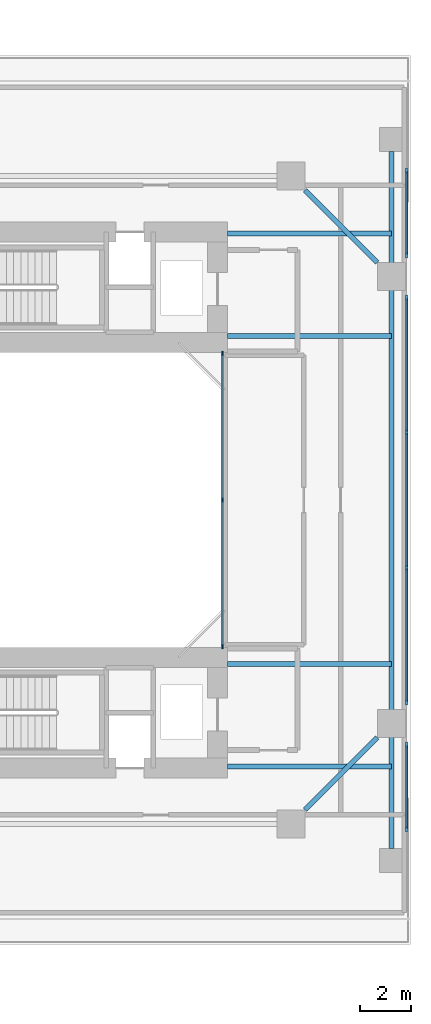
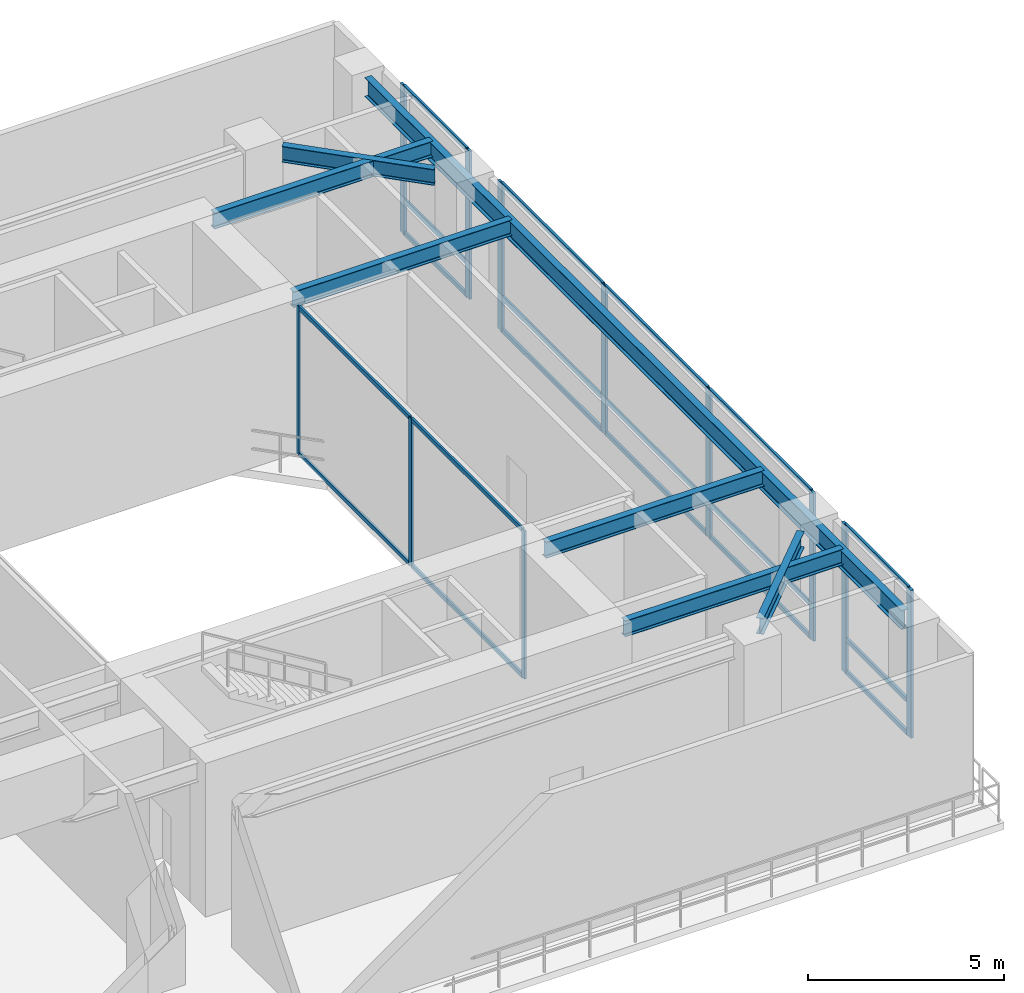
# One storey, part 9 of 19: 30 members, 7 beams, 4 elements without a shape of their own.
"""IFC4 building model written with IfcOpenShell, lengths in metres."""

from ifc_helpers import new_model, si_unit, direction, frame, origin, origin_2d, place, context, subcontext, project, spatial, rectangle, i_section, extrude, source, transform, mapped, material, layer, layer_set, material_profile, profile_set, type_object, element, aggregate, save


model = new_model("IFC4")

# Units and contexts
model_context = context("Model", 3, precision=1e-05, world=origin(), true_north=direction((0.0, 1.0)))
body_context = subcontext(model_context, "Body", "Model", "MODEL_VIEW")
ifc_project = project(units=[si_unit("LENGTHUNIT", "METRE"), si_unit("AREAUNIT", "SQUARE_METRE"), si_unit("VOLUMEUNIT", "CUBIC_METRE"), si_unit("PLANEANGLEUNIT", "RADIAN"), si_unit("MASSUNIT", "GRAM", prefix="KILO"), si_unit("THERMODYNAMICTEMPERATUREUNIT", "KELVIN"), si_unit("POWERUNIT", "WATT")], contexts=[model_context])

# Site, building, storey
site_placement = place(None, origin())
site = spatial("IfcSite", under=ifc_project, at=site_placement, CompositionType="ELEMENT")
building_placement = place(site_placement, origin())
building = spatial("IfcBuilding", under=site, at=building_placement, Name="Qiaomeng Ring Towers", CompositionType="ELEMENT")
storey_placement = place(building_placement, frame((0.0, 0.0, 18.199951171875)))
storey = spatial("IfcBuildingStorey", under=building, at=storey_placement, Name="L04", CompositionType="ELEMENT", Elevation=18.199951171875)

# Beams
ifc_material_1 = material(Name="Steel Q355B", Category="steel")
ifc_material_profile_1 = material_profile(ifc_material_1, i_section(OverallWidth=0.199951171875, OverallDepth=0.60009765625, WebThickness=0.010986328125, FlangeThickness=0.01708984375, FilletRadius=0.02197265625, at=origin_2d()), Name="HN 600x200x11x17")
ifc_profile_set_1 = profile_set([ifc_material_profile_1], Name="Steel Q355B")
beam_type_1 = type_object("IfcBeamType", Name="STR-BM-HN600", PredefinedType="BEAM", material=ifc_profile_set_1)
shared_shape_1 = source(origin(), body_context, "Body", "SweptSolid", [
    extrude(i_section(OverallWidth=0.199951171875, OverallDepth=0.60009765625, WebThickness=0.010986328125, FlangeThickness=0.01708984375, FilletRadius=0.02197265625, at=origin_2d()), origin(), (0.0, 0.0, 1.0), 27.4521484375),
])
beam_placement = place(storey_placement, frame((73.25, 9.27392578125, 4.320068359375), z_axis=(0.0, 1.0, 0.0), x_axis=(-1.0, 0.0, 0.0)))
element("IfcBeam", 1, at=beam_placement, inside=storey, type_object=beam_type_1, Name="L04 beam STR-SP-L04-EL", PredefinedType="BEAM", context=body_context, shape_type="MappedRepresentation", body=[
    mapped(shared_shape_1, transform((0.0, 0.0, 0.0), x_axis=(1.0, 0.0, 0.0), y_axis=(0.0, 1.0, 0.0), z_axis=(0.0, 0.0, 1.0), scale=1.0)),
])
ifc_material_profile_2 = material_profile(ifc_material_1, i_section(OverallWidth=0.199951171875, OverallDepth=0.5, WebThickness=0.010009765625, FlangeThickness=0.01611328125, FilletRadius=0.02001953125, at=origin_2d()), Name="HN 500x200x10x16")
ifc_profile_set_2 = profile_set([ifc_material_profile_2], Name="Steel Q355B")
beam_type_2 = type_object("IfcBeamType", Name="STR-BM-HN500", PredefinedType="BEAM", material=ifc_profile_set_2)
shared_shape_2 = source(origin(), body_context, "Body", "SweptSolid", [
    extrude(i_section(OverallWidth=0.199951171875, OverallDepth=0.5, WebThickness=0.010009765625, FlangeThickness=0.01611328125, FilletRadius=0.02001953125, at=origin_2d()), origin(), (0.0, 0.0, 1.0), 4.032470703125),
])
for number, where, z_axis, x_axis, name in (
    (2, (69.849365234375, 10.79931640625, 4.3701171875), (0.707106781187, 0.707106781187, 0.0), (-0.707106781187, 0.707106781187, 0.0), "L04 beam STR-SP-L04-T2-2"),
    (3, (72.70068359375, 32.349365234375, 4.3701171875), (-0.707106781187, 0.707106781187, 0.0), (-0.707106781187, -0.707106781187, 0.0), "L04 beam STR-SP-L04-T2-4"),
):
    element("IfcBeam", number, at=place(storey_placement, frame(where, z_axis=z_axis, x_axis=x_axis)), inside=storey, type_object=beam_type_2, Name=name, PredefinedType="BEAM", context=body_context, shape_type="MappedRepresentation", body=[
        mapped(shared_shape_2, transform((0.0, 0.0, 0.0), x_axis=(1.0, 0.0, 0.0), y_axis=(0.0, 1.0, 0.0), z_axis=(0.0, 0.0, 1.0), scale=1.0)),
    ])
shared_shape_3 = source(origin(), body_context, "Body", "SweptSolid", [
    extrude(i_section(OverallWidth=0.199951171875, OverallDepth=0.5, WebThickness=0.010009765625, FlangeThickness=0.01611328125, FilletRadius=0.02001953125, at=origin_2d()), origin(), (0.0, 0.0, 1.0), 6.449951171875),
])
for number, where, z_axis, x_axis, name in (
    (4, (66.800048828125, 12.5, 4.3701171875), (1.0, 0.0, 0.0), (0.0, 1.0, 0.0), "L04 beam STR-BM-L04-E-0"),
    (5, (66.800048828125, 16.550048828125, 4.3701171875), (1.0, 0.0, 0.0), (0.0, 1.0, 0.0), "L04 beam STR-BM-L04-E-1"),
    (6, (66.800048828125, 29.449951171875, 4.3701171875), (1.0, 0.0, 0.0), (0.0, 1.0, 0.0), "L04 beam STR-BM-L04-E-2"),
    (7, (66.800048828125, 33.5, 4.3701171875), (1.0, 0.0, 0.0), (0.0, 1.0, 0.0), "L04 beam STR-BM-L04-E-3"),
):
    element("IfcBeam", number, at=place(storey_placement, frame(where, z_axis=z_axis, x_axis=x_axis)), inside=storey, type_object=beam_type_2, Name=name, PredefinedType="BEAM", context=body_context, shape_type="MappedRepresentation", body=[
        mapped(shared_shape_3, transform((0.0, 0.0, 0.0), x_axis=(1.0, 0.0, 0.0), y_axis=(0.0, 1.0, 0.0), z_axis=(0.0, 0.0, 1.0), scale=1.0)),
    ])

# Curtain wall, members
ifc_material_2 = material(Name="Fluorocarbon dark-grey aluminium", Category="aluminium")
ifc_layer_1 = layer(ifc_material_2, 0.179931640625, Name="Fluorocarbon dark-grey aluminium")
ifc_layer_set_1 = layer_set([ifc_layer_1], Name="Fluorocarbon dark-grey aluminium")
curtain_wall_type_1 = type_object("IfcCurtainWallType", Name="ARC-CW-1", PredefinedType="NOTDEFINED", material=ifc_layer_set_1)
curtain_wall_1_placement = place(storey_placement, origin())
curtain_wall_1 = element("IfcCurtainWall", 8, at=curtain_wall_1_placement, inside=storey, type_object=curtain_wall_type_1, Name="L04 Curtain Wall CW1", PredefinedType="NOTDEFINED")
ifc_material_profile_3 = material_profile(ifc_material_2, rectangle(XDim=0.070068359375, YDim=0.139892578125, at=origin_2d()), Name="ALU TRAN 70x140")
ifc_profile_set_3 = profile_set([ifc_material_profile_3], Name="Fluorocarbon dark-grey aluminium")
member_type_1 = type_object("IfcMemberType", Name="ARC-CWT-140", PredefinedType="USERDEFINED", material=ifc_profile_set_3)
shared_shape_4 = source(origin(), body_context, "Body", "SweptSolid", [
    extrude(rectangle(XDim=0.070068359375, YDim=0.139892578125, at=origin_2d()), origin(), (0.0, 0.0, 1.0), 5.219970703125),
])
member_1_placement = place(storey_placement, frame((73.85009765625, 15.070068359375, 0.03515625), z_axis=(0.0, 1.0, 0.0), x_axis=(-1.0, 0.0, 0.0)))
member_1 = element("IfcMember", 9, at=member_1_placement, type_object=member_type_1, Name="CW1 transom 1.1", ObjectType="TRANSOM", PredefinedType="USERDEFINED", context=body_context, shape_type="MappedRepresentation", body=[
    mapped(shared_shape_4, transform((0.0, 0.0, 0.0), x_axis=(1.0, 0.0, 0.0), y_axis=(0.0, 1.0, 0.0), z_axis=(0.0, 0.0, 1.0), scale=1.0)),
])
member_2_placement = place(storey_placement, frame((73.85009765625, 15.070068359375, 1.050048828125), z_axis=(0.0, 1.0, 0.0), x_axis=(-1.0, 0.0, 0.0)))
member_2 = element("IfcMember", 10, at=member_2_placement, type_object=member_type_1, Name="CW1 transom 1.2", ObjectType="TRANSOM", PredefinedType="USERDEFINED", context=body_context, shape_type="MappedRepresentation", body=[
    mapped(shared_shape_4, transform((0.0, 0.0, 0.0), x_axis=(1.0, 0.0, 0.0), y_axis=(0.0, 1.0, 0.0), z_axis=(0.0, 0.0, 1.0), scale=1.0)),
])
member_3_placement = place(storey_placement, frame((73.85009765625, 15.070068359375, 4.5849609375), z_axis=(0.0, 1.0, 0.0), x_axis=(-1.0, 0.0, 0.0)))
member_3 = element("IfcMember", 11, at=member_3_placement, type_object=member_type_1, Name="CW1 transom 1.3", ObjectType="TRANSOM", PredefinedType="USERDEFINED", context=body_context, shape_type="MappedRepresentation", body=[
    mapped(shared_shape_4, transform((0.0, 0.0, 0.0), x_axis=(1.0, 0.0, 0.0), y_axis=(0.0, 1.0, 0.0), z_axis=(0.0, 0.0, 1.0), scale=1.0)),
])
member_4_placement = place(storey_placement, frame((73.85009765625, 25.7099609375, 0.03515625), z_axis=(0.0, 1.0, 0.0), x_axis=(-1.0, 0.0, 0.0)))
member_4 = element("IfcMember", 12, at=member_4_placement, type_object=member_type_1, Name="CW1 transom 3.1", ObjectType="TRANSOM", PredefinedType="USERDEFINED", context=body_context, shape_type="MappedRepresentation", body=[
    mapped(shared_shape_4, transform((0.0, 0.0, 0.0), x_axis=(1.0, 0.0, 0.0), y_axis=(0.0, 1.0, 0.0), z_axis=(0.0, 0.0, 1.0), scale=1.0)),
])
member_5_placement = place(storey_placement, frame((73.85009765625, 25.7099609375, 1.050048828125), z_axis=(0.0, 1.0, 0.0), x_axis=(-1.0, 0.0, 0.0)))
member_5 = element("IfcMember", 13, at=member_5_placement, type_object=member_type_1, Name="CW1 transom 3.2", ObjectType="TRANSOM", PredefinedType="USERDEFINED", context=body_context, shape_type="MappedRepresentation", body=[
    mapped(shared_shape_4, transform((0.0, 0.0, 0.0), x_axis=(1.0, 0.0, 0.0), y_axis=(0.0, 1.0, 0.0), z_axis=(0.0, 0.0, 1.0), scale=1.0)),
])
member_6_placement = place(storey_placement, frame((73.85009765625, 25.7099609375, 4.5849609375), z_axis=(0.0, 1.0, 0.0), x_axis=(-1.0, 0.0, 0.0)))
member_6 = element("IfcMember", 14, at=member_6_placement, type_object=member_type_1, Name="CW1 transom 3.3", ObjectType="TRANSOM", PredefinedType="USERDEFINED", context=body_context, shape_type="MappedRepresentation", body=[
    mapped(shared_shape_4, transform((0.0, 0.0, 0.0), x_axis=(1.0, 0.0, 0.0), y_axis=(0.0, 1.0, 0.0), z_axis=(0.0, 0.0, 1.0), scale=1.0)),
])
shared_shape_5 = source(origin(), body_context, "Body", "SweptSolid", [
    extrude(rectangle(XDim=0.070068359375, YDim=0.139892578125, at=origin_2d()), origin(), (0.0, 0.0, 1.0), 5.259765625),
])
member_7_placement = place(storey_placement, frame((73.85009765625, 20.3701171875, 0.03515625), z_axis=(0.0, 1.0, 0.0), x_axis=(-1.0, 0.0, 0.0)))
member_7 = element("IfcMember", 15, at=member_7_placement, type_object=member_type_1, Name="CW1 transom 2.1", ObjectType="TRANSOM", PredefinedType="USERDEFINED", context=body_context, shape_type="MappedRepresentation", body=[
    mapped(shared_shape_5, transform((0.0, 0.0, 0.0), x_axis=(1.0, 0.0, 0.0), y_axis=(0.0, 1.0, 0.0), z_axis=(0.0, 0.0, 1.0), scale=1.0)),
])
member_8_placement = place(storey_placement, frame((73.85009765625, 20.3701171875, 1.050048828125), z_axis=(0.0, 1.0, 0.0), x_axis=(-1.0, 0.0, 0.0)))
member_8 = element("IfcMember", 16, at=member_8_placement, type_object=member_type_1, Name="CW1 transom 2.2", ObjectType="TRANSOM", PredefinedType="USERDEFINED", context=body_context, shape_type="MappedRepresentation", body=[
    mapped(shared_shape_5, transform((0.0, 0.0, 0.0), x_axis=(1.0, 0.0, 0.0), y_axis=(0.0, 1.0, 0.0), z_axis=(0.0, 0.0, 1.0), scale=1.0)),
])
member_9_placement = place(storey_placement, frame((73.85009765625, 20.3701171875, 4.5849609375), z_axis=(0.0, 1.0, 0.0), x_axis=(-1.0, 0.0, 0.0)))
member_9 = element("IfcMember", 17, at=member_9_placement, type_object=member_type_1, Name="CW1 transom 2.3", ObjectType="TRANSOM", PredefinedType="USERDEFINED", context=body_context, shape_type="MappedRepresentation", body=[
    mapped(shared_shape_5, transform((0.0, 0.0, 0.0), x_axis=(1.0, 0.0, 0.0), y_axis=(0.0, 1.0, 0.0), z_axis=(0.0, 0.0, 1.0), scale=1.0)),
])

curtain_wall_2_placement = place(storey_placement, origin())
curtain_wall_2 = element("IfcCurtainWall", 18, at=curtain_wall_2_placement, inside=storey, type_object=curtain_wall_type_1, Name="L04 Curtain Wall CW1", PredefinedType="NOTDEFINED")
shared_shape_6 = source(origin(), body_context, "Body", "SweptSolid", [
    extrude(rectangle(XDim=0.070068359375, YDim=0.139892578125, at=origin_2d()), origin(), (0.0, 0.0, 1.0), 3.25),
])
member_10_placement = place(storey_placement, frame((73.85009765625, 10.080078125, 0.03515625), z_axis=(0.0, 1.0, 0.0), x_axis=(-1.0, 0.0, 0.0)))
member_10 = element("IfcMember", 19, at=member_10_placement, type_object=member_type_1, Name="CW1 transom 1.1", ObjectType="TRANSOM", PredefinedType="USERDEFINED", context=body_context, shape_type="MappedRepresentation", body=[
    mapped(shared_shape_6, transform((0.0, 0.0, 0.0), x_axis=(1.0, 0.0, 0.0), y_axis=(0.0, 1.0, 0.0), z_axis=(0.0, 0.0, 1.0), scale=1.0)),
])
member_11_placement = place(storey_placement, frame((73.85009765625, 10.080078125, 1.050048828125), z_axis=(0.0, 1.0, 0.0), x_axis=(-1.0, 0.0, 0.0)))
member_11 = element("IfcMember", 20, at=member_11_placement, type_object=member_type_1, Name="CW1 transom 1.2", ObjectType="TRANSOM", PredefinedType="USERDEFINED", context=body_context, shape_type="MappedRepresentation", body=[
    mapped(shared_shape_6, transform((0.0, 0.0, 0.0), x_axis=(1.0, 0.0, 0.0), y_axis=(0.0, 1.0, 0.0), z_axis=(0.0, 0.0, 1.0), scale=1.0)),
])
member_12_placement = place(storey_placement, frame((73.85009765625, 10.080078125, 4.5849609375), z_axis=(0.0, 1.0, 0.0), x_axis=(-1.0, 0.0, 0.0)))
member_12 = element("IfcMember", 21, at=member_12_placement, type_object=member_type_1, Name="CW1 transom 1.3", ObjectType="TRANSOM", PredefinedType="USERDEFINED", context=body_context, shape_type="MappedRepresentation", body=[
    mapped(shared_shape_6, transform((0.0, 0.0, 0.0), x_axis=(1.0, 0.0, 0.0), y_axis=(0.0, 1.0, 0.0), z_axis=(0.0, 0.0, 1.0), scale=1.0)),
])

curtain_wall_3_placement = place(storey_placement, origin())
curtain_wall_3 = element("IfcCurtainWall", 22, at=curtain_wall_3_placement, inside=storey, type_object=curtain_wall_type_1, Name="L04 Curtain Wall CW1", PredefinedType="NOTDEFINED")
member_13_placement = place(storey_placement, frame((73.85009765625, 32.669921875, 0.03515625), z_axis=(0.0, 1.0, 0.0), x_axis=(-1.0, 0.0, 0.0)))
member_13 = element("IfcMember", 23, at=member_13_placement, type_object=member_type_1, Name="CW1 transom 1.1", ObjectType="TRANSOM", PredefinedType="USERDEFINED", context=body_context, shape_type="MappedRepresentation", body=[
    mapped(shared_shape_6, transform((0.0, 0.0, 0.0), x_axis=(1.0, 0.0, 0.0), y_axis=(0.0, 1.0, 0.0), z_axis=(0.0, 0.0, 1.0), scale=1.0)),
])
member_14_placement = place(storey_placement, frame((73.85009765625, 32.669921875, 1.050048828125), z_axis=(0.0, 1.0, 0.0), x_axis=(-1.0, 0.0, 0.0)))
member_14 = element("IfcMember", 24, at=member_14_placement, type_object=member_type_1, Name="CW1 transom 1.2", ObjectType="TRANSOM", PredefinedType="USERDEFINED", context=body_context, shape_type="MappedRepresentation", body=[
    mapped(shared_shape_6, transform((0.0, 0.0, 0.0), x_axis=(1.0, 0.0, 0.0), y_axis=(0.0, 1.0, 0.0), z_axis=(0.0, 0.0, 1.0), scale=1.0)),
])
member_15_placement = place(storey_placement, frame((73.85009765625, 32.669921875, 4.5849609375), z_axis=(0.0, 1.0, 0.0), x_axis=(-1.0, 0.0, 0.0)))
member_15 = element("IfcMember", 25, at=member_15_placement, type_object=member_type_1, Name="CW1 transom 1.3", ObjectType="TRANSOM", PredefinedType="USERDEFINED", context=body_context, shape_type="MappedRepresentation", body=[
    mapped(shared_shape_6, transform((0.0, 0.0, 0.0), x_axis=(1.0, 0.0, 0.0), y_axis=(0.0, 1.0, 0.0), z_axis=(0.0, 0.0, 1.0), scale=1.0)),
])

ifc_layer_2 = layer(ifc_material_2, 0.139892578125, Name="Fluorocarbon dark-grey aluminium")
ifc_layer_set_2 = layer_set([ifc_layer_2], Name="Fluorocarbon dark-grey aluminium")
curtain_wall_type_2 = type_object("IfcCurtainWallType", Name="ARC-CW-4", PredefinedType="NOTDEFINED", material=ifc_layer_set_2)
curtain_wall_4_placement = place(storey_placement, origin())
curtain_wall_4 = element("IfcCurtainWall", 26, at=curtain_wall_4_placement, inside=storey, type_object=curtain_wall_type_2, Name="L04 Curtain Wall CW4", PredefinedType="NOTDEFINED")
ifc_material_profile_4 = material_profile(ifc_material_2, rectangle(XDim=0.06494140625, YDim=0.1298828125, at=origin_2d()), Name="ALU TRAN 65x130")
ifc_profile_set_4 = profile_set([ifc_material_profile_4], Name="Fluorocarbon dark-grey aluminium")
member_type_2 = type_object("IfcMemberType", Name="ARC-CWT-120", PredefinedType="USERDEFINED", material=ifc_profile_set_4)
shared_shape_7 = source(origin(), body_context, "Body", "SweptSolid", [
    extrude(rectangle(XDim=0.06494140625, YDim=0.1298828125, at=origin_2d()), origin(), (0.0, 0.0, 1.0), 5.70263671875),
])
member_16_placement = place(storey_placement, frame((66.60009765625, 17.264892578125, 0.032470703125), z_axis=(0.0, 1.0, 0.0), x_axis=(-1.0, 0.0, 0.0)))
member_16 = element("IfcMember", 27, at=member_16_placement, type_object=member_type_2, Name="CW4 transom 1.1", ObjectType="TRANSOM", PredefinedType="USERDEFINED", context=body_context, shape_type="MappedRepresentation", body=[
    mapped(shared_shape_7, transform((0.0, 0.0, 0.0), x_axis=(1.0, 0.0, 0.0), y_axis=(0.0, 1.0, 0.0), z_axis=(0.0, 0.0, 1.0), scale=1.0)),
])
member_17_placement = place(storey_placement, frame((66.60009765625, 17.264892578125, 4.587646484375), z_axis=(0.0, 1.0, 0.0), x_axis=(-1.0, 0.0, 0.0)))
member_17 = element("IfcMember", 28, at=member_17_placement, type_object=member_type_2, Name="CW4 transom 1.2", ObjectType="TRANSOM", PredefinedType="USERDEFINED", context=body_context, shape_type="MappedRepresentation", body=[
    mapped(shared_shape_7, transform((0.0, 0.0, 0.0), x_axis=(1.0, 0.0, 0.0), y_axis=(0.0, 1.0, 0.0), z_axis=(0.0, 0.0, 1.0), scale=1.0)),
])
member_18_placement = place(storey_placement, frame((66.60009765625, 23.032470703125, 0.032470703125), z_axis=(0.0, 1.0, 0.0), x_axis=(-1.0, 0.0, 0.0)))
member_18 = element("IfcMember", 29, at=member_18_placement, type_object=member_type_2, Name="CW4 transom 2.1", ObjectType="TRANSOM", PredefinedType="USERDEFINED", context=body_context, shape_type="MappedRepresentation", body=[
    mapped(shared_shape_7, transform((0.0, 0.0, 0.0), x_axis=(1.0, 0.0, 0.0), y_axis=(0.0, 1.0, 0.0), z_axis=(0.0, 0.0, 1.0), scale=1.0)),
])
member_19_placement = place(storey_placement, frame((66.60009765625, 23.032470703125, 4.587646484375), z_axis=(0.0, 1.0, 0.0), x_axis=(-1.0, 0.0, 0.0)))
member_19 = element("IfcMember", 30, at=member_19_placement, type_object=member_type_2, Name="CW4 transom 2.2", ObjectType="TRANSOM", PredefinedType="USERDEFINED", context=body_context, shape_type="MappedRepresentation", body=[
    mapped(shared_shape_7, transform((0.0, 0.0, 0.0), x_axis=(1.0, 0.0, 0.0), y_axis=(0.0, 1.0, 0.0), z_axis=(0.0, 0.0, 1.0), scale=1.0)),
])

# Member
ifc_material_profile_5 = material_profile(ifc_material_2, rectangle(XDim=0.080078125, YDim=0.219970703125, at=origin_2d()), Name="ALU MULL 80x220")
ifc_profile_set_5 = profile_set([ifc_material_profile_5], Name="Fluorocarbon dark-grey aluminium")
member_type_3 = type_object("IfcMemberType", Name="ARC-CWM-180", PredefinedType="MULLION", material=ifc_profile_set_5)
shared_shape_8 = source(origin(), body_context, "Body", "SweptSolid", [
    extrude(rectangle(XDim=0.080078125, YDim=0.219970703125, at=origin_2d()), origin(), (0.0, 0.0, 1.0), 4.6201171875),
])
member_20_placement = place(storey_placement, frame((73.85009765625, 10.0400390625, 0.0), z_axis=(0.0, 0.0, 1.0), x_axis=(-1.0, 0.0, 0.0)))
member_20 = element("IfcMember", 31, at=member_20_placement, type_object=member_type_3, Name="CW1 mullion 1", PredefinedType="MULLION", context=body_context, shape_type="MappedRepresentation", body=[
    mapped(shared_shape_8, transform((0.0, 0.0, 0.0), x_axis=(1.0, 0.0, 0.0), y_axis=(0.0, 1.0, 0.0), z_axis=(0.0, 0.0, 1.0), scale=1.0)),
])

member_21_placement = place(storey_placement, frame((73.85009765625, 13.3701171875, 0.0), z_axis=(0.0, 0.0, 1.0), x_axis=(-1.0, 0.0, 0.0)))
member_21 = element("IfcMember", 32, at=member_21_placement, type_object=member_type_3, Name="CW1 mullion 2", PredefinedType="MULLION", context=body_context, shape_type="MappedRepresentation", body=[
    mapped(shared_shape_8, transform((0.0, 0.0, 0.0), x_axis=(1.0, 0.0, 0.0), y_axis=(0.0, 1.0, 0.0), z_axis=(0.0, 0.0, 1.0), scale=1.0)),
])

aggregate(curtain_wall_2, [member_20, member_21, member_10, member_11, member_12])

member_22_placement = place(storey_placement, frame((73.85009765625, 15.030029296875, 0.0), z_axis=(0.0, 0.0, 1.0), x_axis=(-1.0, 0.0, 0.0)))
member_22 = element("IfcMember", 33, at=member_22_placement, type_object=member_type_3, Name="CW1 mullion 1", PredefinedType="MULLION", context=body_context, shape_type="MappedRepresentation", body=[
    mapped(shared_shape_8, transform((0.0, 0.0, 0.0), x_axis=(1.0, 0.0, 0.0), y_axis=(0.0, 1.0, 0.0), z_axis=(0.0, 0.0, 1.0), scale=1.0)),
])

member_23_placement = place(storey_placement, frame((73.85009765625, 20.330078125, 0.0), z_axis=(0.0, 0.0, 1.0), x_axis=(-1.0, 0.0, 0.0)))
member_23 = element("IfcMember", 34, at=member_23_placement, type_object=member_type_3, Name="CW1 mullion 2", PredefinedType="MULLION", context=body_context, shape_type="MappedRepresentation", body=[
    mapped(shared_shape_8, transform((0.0, 0.0, 0.0), x_axis=(1.0, 0.0, 0.0), y_axis=(0.0, 1.0, 0.0), z_axis=(0.0, 0.0, 1.0), scale=1.0)),
])

member_24_placement = place(storey_placement, frame((73.85009765625, 25.669921875, 0.0), z_axis=(0.0, 0.0, 1.0), x_axis=(-1.0, 0.0, 0.0)))
member_24 = element("IfcMember", 35, at=member_24_placement, type_object=member_type_3, Name="CW1 mullion 3", PredefinedType="MULLION", context=body_context, shape_type="MappedRepresentation", body=[
    mapped(shared_shape_8, transform((0.0, 0.0, 0.0), x_axis=(1.0, 0.0, 0.0), y_axis=(0.0, 1.0, 0.0), z_axis=(0.0, 0.0, 1.0), scale=1.0)),
])

member_25_placement = place(storey_placement, frame((73.85009765625, 30.969970703125, 0.0), z_axis=(0.0, 0.0, 1.0), x_axis=(-1.0, 0.0, 0.0)))
member_25 = element("IfcMember", 36, at=member_25_placement, type_object=member_type_3, Name="CW1 mullion 4", PredefinedType="MULLION", context=body_context, shape_type="MappedRepresentation", body=[
    mapped(shared_shape_8, transform((0.0, 0.0, 0.0), x_axis=(1.0, 0.0, 0.0), y_axis=(0.0, 1.0, 0.0), z_axis=(0.0, 0.0, 1.0), scale=1.0)),
])

aggregate(curtain_wall_1, [member_22, member_23, member_24, member_25, member_1, member_2, member_3, member_7, member_8, member_9, member_4, member_5, member_6])

member_26_placement = place(storey_placement, frame((73.85009765625, 32.6298828125, 0.0), z_axis=(0.0, 0.0, 1.0), x_axis=(-1.0, 0.0, 0.0)))
member_26 = element("IfcMember", 37, at=member_26_placement, type_object=member_type_3, Name="CW1 mullion 1", PredefinedType="MULLION", context=body_context, shape_type="MappedRepresentation", body=[
    mapped(shared_shape_8, transform((0.0, 0.0, 0.0), x_axis=(1.0, 0.0, 0.0), y_axis=(0.0, 1.0, 0.0), z_axis=(0.0, 0.0, 1.0), scale=1.0)),
])

member_27_placement = place(storey_placement, frame((73.85009765625, 35.9599609375, 0.0), z_axis=(0.0, 0.0, 1.0), x_axis=(-1.0, 0.0, 0.0)))
member_27 = element("IfcMember", 38, at=member_27_placement, type_object=member_type_3, Name="CW1 mullion 2", PredefinedType="MULLION", context=body_context, shape_type="MappedRepresentation", body=[
    mapped(shared_shape_8, transform((0.0, 0.0, 0.0), x_axis=(1.0, 0.0, 0.0), y_axis=(0.0, 1.0, 0.0), z_axis=(0.0, 0.0, 1.0), scale=1.0)),
])

aggregate(curtain_wall_3, [member_26, member_27, member_13, member_14, member_15])

ifc_material_profile_6 = material_profile(ifc_material_2, rectangle(XDim=0.06494140625, YDim=0.159912109375, at=origin_2d()), Name="ALU MULL 65x160")
ifc_profile_set_6 = profile_set([ifc_material_profile_6], Name="Fluorocarbon dark-grey aluminium")
member_type_4 = type_object("IfcMemberType", Name="ARC-CWM-140", PredefinedType="MULLION", material=ifc_profile_set_6)
shared_shape_9 = source(origin(), body_context, "Body", "SweptSolid", [
    extrude(rectangle(XDim=0.06494140625, YDim=0.159912109375, at=origin_2d()), origin(), (0.0, 0.0, 1.0), 4.6201171875),
])
member_28_placement = place(storey_placement, frame((66.60009765625, 17.232421875, 0.0), z_axis=(0.0, 0.0, 1.0), x_axis=(-1.0, 0.0, 0.0)))
member_28 = element("IfcMember", 39, at=member_28_placement, type_object=member_type_4, Name="CW4 mullion 1", PredefinedType="MULLION", context=body_context, shape_type="MappedRepresentation", body=[
    mapped(shared_shape_9, transform((0.0, 0.0, 0.0), x_axis=(1.0, 0.0, 0.0), y_axis=(0.0, 1.0, 0.0), z_axis=(0.0, 0.0, 1.0), scale=1.0)),
])

member_29_placement = place(storey_placement, frame((66.60009765625, 23.0, 0.0), z_axis=(0.0, 0.0, 1.0), x_axis=(-1.0, 0.0, 0.0)))
member_29 = element("IfcMember", 40, at=member_29_placement, type_object=member_type_4, Name="CW4 mullion 2", PredefinedType="MULLION", context=body_context, shape_type="MappedRepresentation", body=[
    mapped(shared_shape_9, transform((0.0, 0.0, 0.0), x_axis=(1.0, 0.0, 0.0), y_axis=(0.0, 1.0, 0.0), z_axis=(0.0, 0.0, 1.0), scale=1.0)),
])

member_30_placement = place(storey_placement, frame((66.60009765625, 28.767578125, 0.0), z_axis=(0.0, 0.0, 1.0), x_axis=(-1.0, 0.0, 0.0)))
member_30 = element("IfcMember", 41, at=member_30_placement, type_object=member_type_4, Name="CW4 mullion 3", PredefinedType="MULLION", context=body_context, shape_type="MappedRepresentation", body=[
    mapped(shared_shape_9, transform((0.0, 0.0, 0.0), x_axis=(1.0, 0.0, 0.0), y_axis=(0.0, 1.0, 0.0), z_axis=(0.0, 0.0, 1.0), scale=1.0)),
])

aggregate(curtain_wall_4, [member_28, member_29, member_30, member_16, member_17, member_18, member_19])

save(model, "model.ifc")
